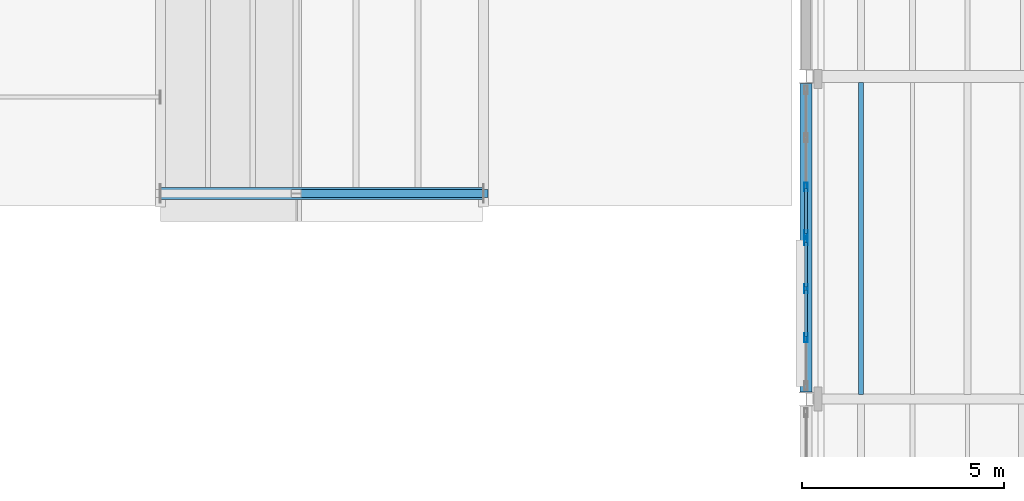
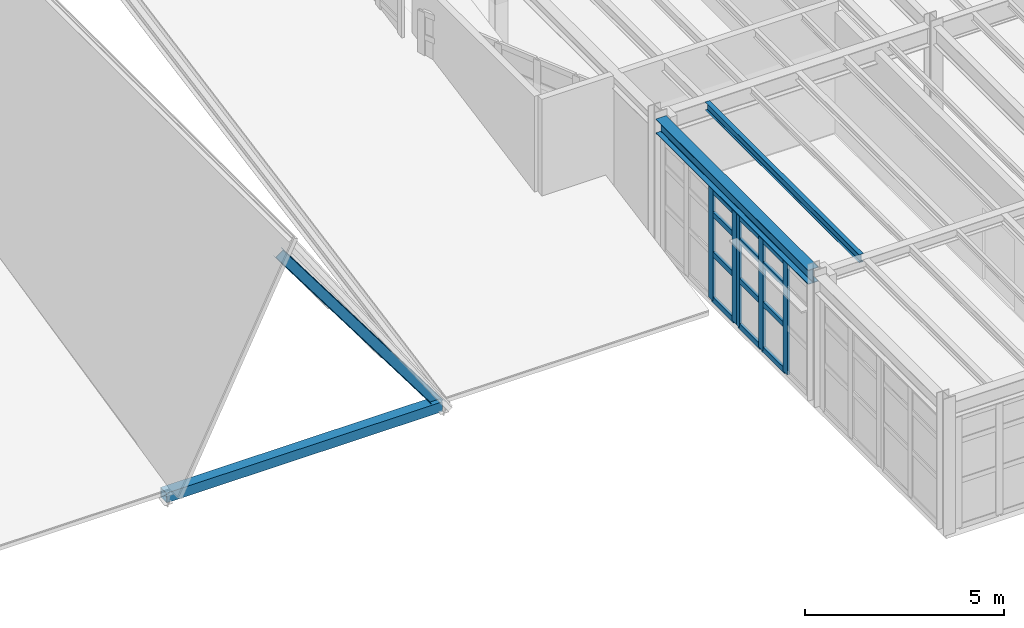
# One storey, part 27 of 77: 19 members, 2 beams, 2 elements without a shape of their own.
"""IFC4 building model written with IfcOpenShell, lengths in metres."""

from ifc_helpers import new_model, si_unit, direction, frame, origin, origin_2d, place, context, subcontext, project, spatial, hollow_rectangle, i_section, extrude, material, material_profile, profile_set, type_object, element, aggregate, save


model = new_model("IFC4")

# Units and contexts
model_context = context("Model", 3, precision=1e-05, world=origin(), true_north=direction((0.0, 1.0)))
body_context = subcontext(model_context, "Body", "Model", "MODEL_VIEW")
ifc_project = project(units=[si_unit("LENGTHUNIT", "METRE"), si_unit("AREAUNIT", "SQUARE_METRE"), si_unit("VOLUMEUNIT", "CUBIC_METRE"), si_unit("PLANEANGLEUNIT", "RADIAN"), si_unit("MASSUNIT", "GRAM", prefix="KILO"), si_unit("THERMODYNAMICTEMPERATUREUNIT", "KELVIN"), si_unit("POWERUNIT", "WATT")], contexts=[model_context])

# Site, building, storey
site_placement = place(None, origin())
site = spatial("IfcSite", under=ifc_project, at=site_placement, CompositionType="ELEMENT")
building_placement = place(site_placement, origin())
building = spatial("IfcBuilding", under=site, at=building_placement, Name="Zhenchuan Central Fire Station", CompositionType="ELEMENT")
storey_placement = place(building_placement, frame((0.0, 0.0, 10.050048828125)))
storey = spatial("IfcBuildingStorey", under=building, at=storey_placement, Name="L03", CompositionType="ELEMENT", Elevation=10.050048828125)

# Beam
ifc_material_1 = material(Name="Steel Q355B", Category="steel")
ifc_material_profile_1 = material_profile(ifc_material_1, i_section(OverallWidth=0.300048828125, OverallDepth=0.43994140625, WebThickness=0.010986328125, FlangeThickness=0.01806640625, FilletRadius=0.02197265625, at=origin_2d()), Name="HM 440x300")
ifc_profile_set_1 = profile_set([ifc_material_profile_1], Name="Steel Q355B")
beam_type_1 = type_object("IfcBeamType", Name="BM-HM440-INT", PredefinedType="BEAM", material=ifc_profile_set_1)
beam_1_placement = place(storey_placement, frame((140.0, 6.675048828125, 3.780029296875), z_axis=(0.0, 1.0, 0.0), x_axis=(-1.0, 0.0, 0.0)))
element("IfcBeam", 1, at=beam_1_placement, inside=storey, type_object=beam_type_1, Name="L04 Girder NS 0403", PredefinedType="BEAM", context=body_context, shape_type="SweptSolid", body=[
    extrude(i_section(OverallWidth=0.300048828125, OverallDepth=0.43994140625, WebThickness=0.010986328125, FlangeThickness=0.01806640625, FilletRadius=0.02197265625, at=origin_2d()), origin(), (0.0, 0.0, 1.0), 7.64990234375),
])

# Curtain wall, members
ifc_material_2 = material(Name="Anodised aluminium and low-E glazing", Category="aluminium")
curtain_wall_type_1 = type_object("IfcCurtainWallType", Name="CW-MOD-12", PredefinedType="USERDEFINED", material=ifc_material_2)
curtain_wall_1_placement = place(storey_placement, origin())
curtain_wall_1 = element("IfcCurtainWall", 2, at=curtain_wall_1_placement, inside=storey, type_object=curtain_wall_type_1, Name="L03 Unitised Curtain Wall 114", ObjectType="UNITISED GLAZING", PredefinedType="USERDEFINED")
ifc_material_3 = material(Name="Anodised aluminium EN AW-6063", Category="aluminium")
ifc_material_profile_2 = material_profile(ifc_material_3, hollow_rectangle(XDim=0.080078125, YDim=0.219970703125, WallThickness=0.005615234375, at=origin_2d()), Name="ALU-M 220x80")
ifc_profile_set_2 = profile_set([ifc_material_profile_2], Name="Anodised aluminium EN AW-6063")
member_type_1 = type_object("IfcMemberType", Name="CW-MUL200", PredefinedType="MULLION", material=ifc_profile_set_2)
member_1_placement = place(storey_placement, frame((140.0, 8.020751953125, -0.004150390625), z_axis=(0.0, 0.0, 1.0), x_axis=(-1.0, 0.0, 0.0)))
member_1 = element("IfcMember", 3, at=member_1_placement, type_object=member_type_1, Name="CW-12 mullion 2", PredefinedType="MULLION", context=body_context, shape_type="SweptSolid", body=[
    extrude(hollow_rectangle(XDim=0.080078125, YDim=0.219970703125, WallThickness=0.005615234375, at=origin_2d()), origin(), (0.0, 0.0, 1.0), 3.404052734375),
])
member_2_placement = place(storey_placement, frame((140.0, 9.241455078125, -0.004150390625), z_axis=(0.0, 0.0, 1.0), x_axis=(-1.0, 0.0, 0.0)))
member_2 = element("IfcMember", 4, at=member_2_placement, type_object=member_type_1, Name="CW-12 mullion 3", PredefinedType="MULLION", context=body_context, shape_type="SweptSolid", body=[
    extrude(hollow_rectangle(XDim=0.080078125, YDim=0.219970703125, WallThickness=0.005615234375, at=origin_2d()), origin(), (0.0, 0.0, 1.0), 3.404052734375),
])
member_3_placement = place(storey_placement, frame((140.0, 10.424560546875, -0.004150390625), z_axis=(0.0, 0.0, 1.0), x_axis=(-1.0, 0.0, 0.0)))
member_3 = element("IfcMember", 5, at=member_3_placement, type_object=member_type_1, Name="CW-12 mullion 4", PredefinedType="MULLION", context=body_context, shape_type="SweptSolid", body=[
    extrude(hollow_rectangle(XDim=0.080078125, YDim=0.219970703125, WallThickness=0.005615234375, at=origin_2d()), origin(), (0.0, 0.0, 1.0), 3.404052734375),
])

curtain_wall_type_2 = type_object("IfcCurtainWallType", Name="CW-MOD-13", PredefinedType="USERDEFINED", material=ifc_material_2)
curtain_wall_2_placement = place(storey_placement, origin())
curtain_wall_2 = element("IfcCurtainWall", 6, at=curtain_wall_2_placement, inside=storey, type_object=curtain_wall_type_2, Name="L03 Unitised Curtain Wall 115", ObjectType="UNITISED GLAZING", PredefinedType="USERDEFINED")
member_4_placement = place(storey_placement, frame((140.0, 10.575439453125, -0.004150390625), z_axis=(0.0, 0.0, 1.0), x_axis=(-1.0, 0.0, 0.0)))
member_4 = element("IfcMember", 7, at=member_4_placement, type_object=member_type_1, Name="CW-13 mullion 1", PredefinedType="MULLION", context=body_context, shape_type="SweptSolid", body=[
    extrude(hollow_rectangle(XDim=0.080078125, YDim=0.219970703125, WallThickness=0.005615234375, at=origin_2d()), origin(), (0.0, 0.0, 1.0), 3.404052734375),
])
member_5_placement = place(storey_placement, frame((140.0, 11.758544921875, -0.004150390625), z_axis=(0.0, 0.0, 1.0), x_axis=(-1.0, 0.0, 0.0)))
member_5 = element("IfcMember", 8, at=member_5_placement, type_object=member_type_1, Name="CW-13 mullion 2", PredefinedType="MULLION", context=body_context, shape_type="SweptSolid", body=[
    extrude(hollow_rectangle(XDim=0.080078125, YDim=0.219970703125, WallThickness=0.005615234375, at=origin_2d()), origin(), (0.0, 0.0, 1.0), 3.404052734375),
])

# Member
ifc_material_profile_3 = material_profile(ifc_material_3, hollow_rectangle(XDim=0.080078125, YDim=0.1650390625, WallThickness=0.0048828125, at=origin_2d()), Name="ALU-T 165x80")
ifc_profile_set_3 = profile_set([ifc_material_profile_3], Name="Anodised aluminium EN AW-6063")
member_type_2 = type_object("IfcMemberType", Name="CW-TRN150", PredefinedType="NOTDEFINED", material=ifc_profile_set_3)
member_6_placement = place(storey_placement, frame((140.0, 8.05810546875, 0.033447265625), z_axis=(0.0, 1.0, 0.0), x_axis=(-1.0, 0.0, 0.0)))
member_6 = element("IfcMember", 9, at=member_6_placement, type_object=member_type_2, Name="CW-12 transom 2.1", ObjectType="TRANSOM", PredefinedType="USERDEFINED", context=body_context, shape_type="SweptSolid", body=[
    extrude(hollow_rectangle(XDim=0.080078125, YDim=0.1650390625, WallThickness=0.0048828125, at=origin_2d()), origin(), (0.0, 0.0, 1.0), 1.145751953125),
])

member_7_placement = place(storey_placement, frame((140.0, 8.05810546875, 1.427978515625), z_axis=(0.0, 1.0, 0.0), x_axis=(-1.0, 0.0, 0.0)))
member_7 = element("IfcMember", 10, at=member_7_placement, type_object=member_type_2, Name="CW-12 transom 2.2", ObjectType="TRANSOM", PredefinedType="USERDEFINED", context=body_context, shape_type="SweptSolid", body=[
    extrude(hollow_rectangle(XDim=0.080078125, YDim=0.1650390625, WallThickness=0.0048828125, at=origin_2d()), origin(), (0.0, 0.0, 1.0), 1.145751953125),
])

member_8_placement = place(storey_placement, frame((140.0, 8.05810546875, 2.65185546875), z_axis=(0.0, 1.0, 0.0), x_axis=(-1.0, 0.0, 0.0)))
member_8 = element("IfcMember", 11, at=member_8_placement, type_object=member_type_2, Name="CW-12 transom 2.3", ObjectType="TRANSOM", PredefinedType="USERDEFINED", context=body_context, shape_type="SweptSolid", body=[
    extrude(hollow_rectangle(XDim=0.080078125, YDim=0.1650390625, WallThickness=0.0048828125, at=origin_2d()), origin(), (0.0, 0.0, 1.0), 1.145751953125),
])

member_9_placement = place(storey_placement, frame((140.0, 8.05810546875, 3.362548828125), z_axis=(0.0, 1.0, 0.0), x_axis=(-1.0, 0.0, 0.0)))
member_9 = element("IfcMember", 12, at=member_9_placement, type_object=member_type_2, Name="CW-12 transom 2.4", ObjectType="TRANSOM", PredefinedType="USERDEFINED", context=body_context, shape_type="SweptSolid", body=[
    extrude(hollow_rectangle(XDim=0.080078125, YDim=0.1650390625, WallThickness=0.0048828125, at=origin_2d()), origin(), (0.0, 0.0, 1.0), 1.145751953125),
])

member_10_placement = place(storey_placement, frame((140.0, 9.27880859375, 0.033447265625), z_axis=(0.0, 1.0, 0.0), x_axis=(-1.0, 0.0, 0.0)))
member_10 = element("IfcMember", 13, at=member_10_placement, type_object=member_type_2, Name="CW-12 transom 3.1", ObjectType="TRANSOM", PredefinedType="USERDEFINED", context=body_context, shape_type="SweptSolid", body=[
    extrude(hollow_rectangle(XDim=0.080078125, YDim=0.1650390625, WallThickness=0.0048828125, at=origin_2d()), origin(), (0.0, 0.0, 1.0), 1.108154296875),
])

member_11_placement = place(storey_placement, frame((140.0, 9.27880859375, 1.427978515625), z_axis=(0.0, 1.0, 0.0), x_axis=(-1.0, 0.0, 0.0)))
member_11 = element("IfcMember", 14, at=member_11_placement, type_object=member_type_2, Name="CW-12 transom 3.2", ObjectType="TRANSOM", PredefinedType="USERDEFINED", context=body_context, shape_type="SweptSolid", body=[
    extrude(hollow_rectangle(XDim=0.080078125, YDim=0.1650390625, WallThickness=0.0048828125, at=origin_2d()), origin(), (0.0, 0.0, 1.0), 1.108154296875),
])

member_12_placement = place(storey_placement, frame((140.0, 9.27880859375, 2.65185546875), z_axis=(0.0, 1.0, 0.0), x_axis=(-1.0, 0.0, 0.0)))
member_12 = element("IfcMember", 15, at=member_12_placement, type_object=member_type_2, Name="CW-12 transom 3.3", ObjectType="TRANSOM", PredefinedType="USERDEFINED", context=body_context, shape_type="SweptSolid", body=[
    extrude(hollow_rectangle(XDim=0.080078125, YDim=0.1650390625, WallThickness=0.0048828125, at=origin_2d()), origin(), (0.0, 0.0, 1.0), 1.108154296875),
])

member_13_placement = place(storey_placement, frame((140.0, 9.27880859375, 3.362548828125), z_axis=(0.0, 1.0, 0.0), x_axis=(-1.0, 0.0, 0.0)))
member_13 = element("IfcMember", 16, at=member_13_placement, type_object=member_type_2, Name="CW-12 transom 3.4", ObjectType="TRANSOM", PredefinedType="USERDEFINED", context=body_context, shape_type="SweptSolid", body=[
    extrude(hollow_rectangle(XDim=0.080078125, YDim=0.1650390625, WallThickness=0.0048828125, at=origin_2d()), origin(), (0.0, 0.0, 1.0), 1.108154296875),
])

aggregate(curtain_wall_1, [member_1, member_2, member_3, member_6, member_7, member_8, member_9, member_10, member_11, member_12, member_13])

member_14_placement = place(storey_placement, frame((140.0, 10.613037109375, 0.033447265625), z_axis=(0.0, 1.0, 0.0), x_axis=(-1.0, 0.0, 0.0)))
member_14 = element("IfcMember", 17, at=member_14_placement, type_object=member_type_2, Name="CW-13 transom 1.1", ObjectType="TRANSOM", PredefinedType="USERDEFINED", context=body_context, shape_type="SweptSolid", body=[
    extrude(hollow_rectangle(XDim=0.080078125, YDim=0.1650390625, WallThickness=0.0048828125, at=origin_2d()), origin(), (0.0, 0.0, 1.0), 1.108154296875),
])

member_15_placement = place(storey_placement, frame((140.0, 10.613037109375, 1.427978515625), z_axis=(0.0, 1.0, 0.0), x_axis=(-1.0, 0.0, 0.0)))
member_15 = element("IfcMember", 18, at=member_15_placement, type_object=member_type_2, Name="CW-13 transom 1.2", ObjectType="TRANSOM", PredefinedType="USERDEFINED", context=body_context, shape_type="SweptSolid", body=[
    extrude(hollow_rectangle(XDim=0.080078125, YDim=0.1650390625, WallThickness=0.0048828125, at=origin_2d()), origin(), (0.0, 0.0, 1.0), 1.108154296875),
])

member_16_placement = place(storey_placement, frame((140.0, 10.613037109375, 2.65185546875), z_axis=(0.0, 1.0, 0.0), x_axis=(-1.0, 0.0, 0.0)))
member_16 = element("IfcMember", 19, at=member_16_placement, type_object=member_type_2, Name="CW-13 transom 1.3", ObjectType="TRANSOM", PredefinedType="USERDEFINED", context=body_context, shape_type="SweptSolid", body=[
    extrude(hollow_rectangle(XDim=0.080078125, YDim=0.1650390625, WallThickness=0.0048828125, at=origin_2d()), origin(), (0.0, 0.0, 1.0), 1.108154296875),
])

member_17_placement = place(storey_placement, frame((140.0, 10.613037109375, 3.362548828125), z_axis=(0.0, 1.0, 0.0), x_axis=(-1.0, 0.0, 0.0)))
member_17 = element("IfcMember", 20, at=member_17_placement, type_object=member_type_2, Name="CW-13 transom 1.4", ObjectType="TRANSOM", PredefinedType="USERDEFINED", context=body_context, shape_type="SweptSolid", body=[
    extrude(hollow_rectangle(XDim=0.080078125, YDim=0.1650390625, WallThickness=0.0048828125, at=origin_2d()), origin(), (0.0, 0.0, 1.0), 1.108154296875),
])

aggregate(curtain_wall_2, [member_4, member_5, member_14, member_15, member_16, member_17])

# Beam
ifc_material_profile_4 = material_profile(ifc_material_1, i_section(OverallWidth=0.125, OverallDepth=0.25, WebThickness=0.006103515625, FlangeThickness=0.009033203125, FilletRadius=0.011962890625, at=origin_2d()), Name="HN 250x125")
ifc_profile_set_4 = profile_set([ifc_material_profile_4], Name="Steel Q355B")
beam_type_2 = type_object("IfcBeamType", Name="JS-HN250", PredefinedType="JOIST", material=ifc_profile_set_4)
beam_2_placement = place(storey_placement, frame((141.360107421875, 6.6220703125, 3.875), z_axis=(0.0, 1.0, 0.0), x_axis=(-1.0, 0.0, 0.0)))
element("IfcBeam", 21, at=beam_2_placement, inside=storey, type_object=beam_type_2, Name="L04 Secondary Joist 0580", PredefinedType="JOIST", context=body_context, shape_type="SweptSolid", body=[
    extrude(i_section(OverallWidth=0.125, OverallDepth=0.25, WebThickness=0.006103515625, FlangeThickness=0.009033203125, FilletRadius=0.011962890625, at=origin_2d()), origin(), (0.0, 0.0, 1.0), 7.73095703125),
])

# Members
ifc_material_profile_5 = material_profile(ifc_material_1, hollow_rectangle(XDim=0.300048828125, YDim=0.300048828125, WallThickness=0.011962890625, at=origin_2d()), Name="SHS 300x300x12")
ifc_profile_set_5 = profile_set([ifc_material_profile_5], Name="Steel Q355B")
member_type_3 = type_object("IfcMemberType", Name="MB-PS-HW250", PredefinedType="POST", material=ifc_profile_set_5)
member_18_placement = place(storey_placement, frame((124.0, 11.60009765625, -0.330078125), z_axis=(1.0, 0.0, 0.0), x_axis=(0.0, 1.0, 0.0)))
element("IfcMember", 22, at=member_18_placement, inside=storey, type_object=member_type_3, Name="Pavilion H09 Gable Bottom Chord 1", PredefinedType="CHORD", context=body_context, shape_type="SweptSolid", body=[
    extrude(hollow_rectangle(XDim=0.300048828125, YDim=0.300048828125, WallThickness=0.011962890625, at=origin_2d()), origin(), (0.0, 0.0, 1.0), 8.0),
])
ifc_material_profile_6 = material_profile(ifc_material_1, i_section(OverallWidth=0.199951171875, OverallDepth=0.2939453125, WebThickness=0.008056640625, FlangeThickness=0.011962890625, FilletRadius=0.01611328125, at=origin_2d()), Name="HM 294x200")
ifc_profile_set_6 = profile_set([ifc_material_profile_6], Name="Steel Q355B")
member_type_4 = type_object("IfcMemberType", Name="MB-RF-HM294", PredefinedType="RAFTER", material=ifc_profile_set_6)
member_19_placement = place(storey_placement, frame((127.360107421875, 11.60009765625, 5.897705078125), z_axis=(0.597446839201, 0.0, -0.801908519925), x_axis=(0.0, 1.0, 0.0)))
element("IfcMember", 23, at=member_19_placement, inside=storey, type_object=member_type_4, Name="Pavilion H09 East Gable Rafter 1", PredefinedType="RAFTER", context=body_context, shape_type="SweptSolid", body=[
    extrude(i_section(OverallWidth=0.199951171875, OverallDepth=0.2939453125, WebThickness=0.008056640625, FlangeThickness=0.011962890625, FilletRadius=0.01611328125, at=origin_2d()), origin(), (0.0, 0.0, 1.0), 7.76611328125),
])

save(model, "model.ifc")
